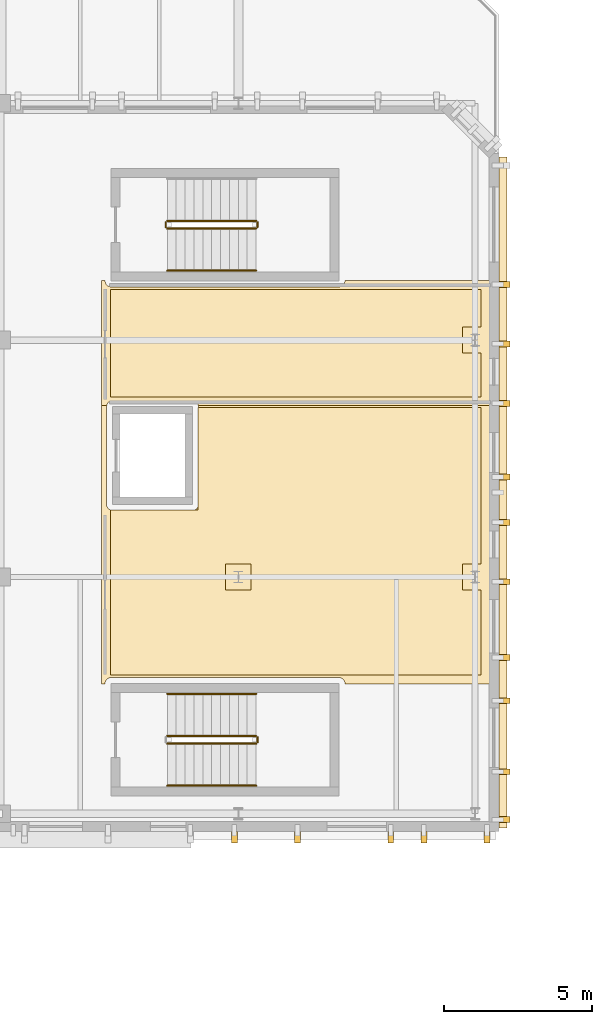
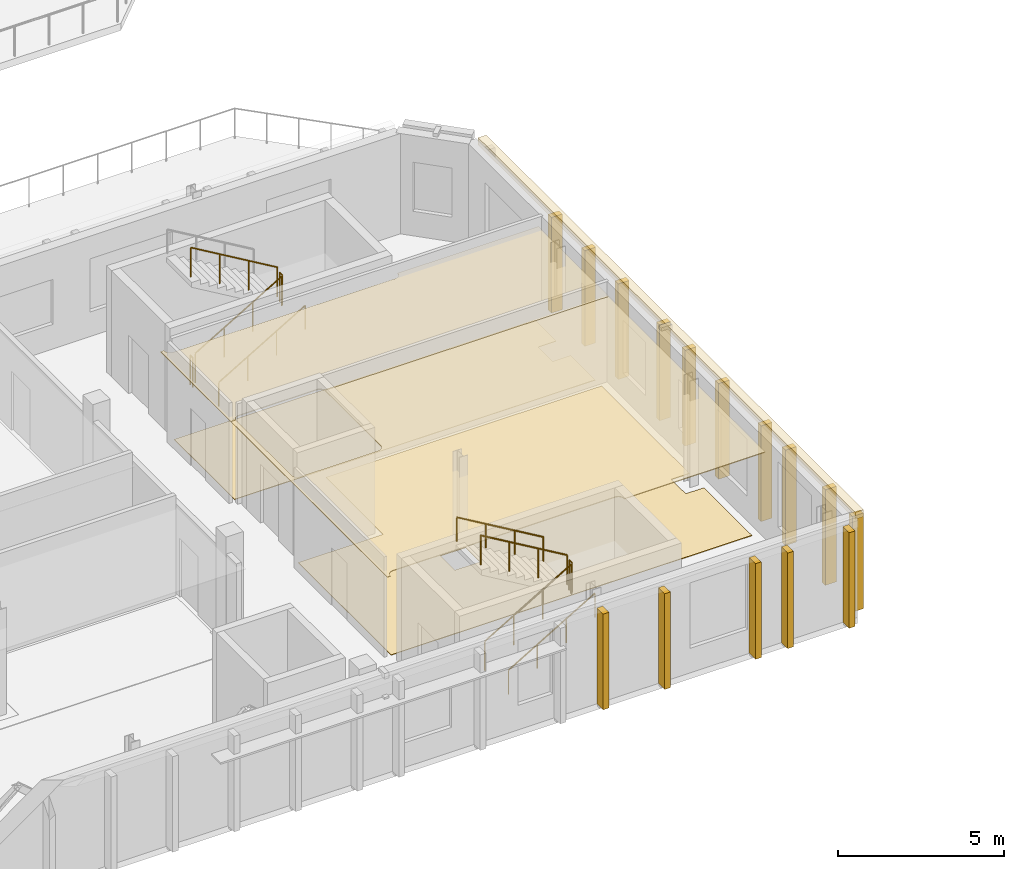
# One storey, part 36 of 43: 20 coverings, 10 railings.
"""IFC4 building model written with IfcOpenShell, lengths in metres."""

from ifc_helpers import new_model, si_unit, direction, frame, origin, origin_2d, place, context, subcontext, project, spatial, polyline, rectangle, circle, outline, extrude, material, layer, layer_set, type_object, element, save


model = new_model("IFC4")

# Units and contexts
model_context = context("Model", 3, precision=1e-05, world=origin(), true_north=direction((0.0, 1.0)))
body_context = subcontext(model_context, "Body", "Model", "MODEL_VIEW")
ifc_project = project(units=[si_unit("LENGTHUNIT", "METRE"), si_unit("AREAUNIT", "SQUARE_METRE"), si_unit("VOLUMEUNIT", "CUBIC_METRE"), si_unit("PLANEANGLEUNIT", "RADIAN"), si_unit("MASSUNIT", "GRAM", prefix="KILO")], contexts=[model_context])

# Site, building, storey
site_placement = place(None, origin())
site = spatial("IfcSite", under=ifc_project, at=site_placement, CompositionType="ELEMENT")
building_placement = place(site_placement, origin())
building = spatial("IfcBuilding", under=site, at=building_placement, Name="Cymarion Research Institute", CompositionType="ELEMENT")
storey_placement = place(building_placement, frame((0.0, 0.0, 22.800048828125)))
storey = spatial("IfcBuildingStorey", under=building, at=storey_placement, Name="L05", CompositionType="ELEMENT", Elevation=22.800048828125)

# Coverings
ifc_material_1 = material(Name="Micro-perforated mineral acoustic ceiling tile", Category="gypsum")
ifc_layer_1 = layer(ifc_material_1, 0.030029296875)
ifc_layer_set_1 = layer_set([ifc_layer_1], Name="Micro-perforated mineral acoustic ceiling tile")
covering_type_1 = type_object("IfcCoveringType", Name="ACOUSTIC MICRO-PERFORATED SUSPENDED CEILING CLG-01", PredefinedType="CEILING", material=ifc_layer_set_1)
covering_1_placement = place(storey_placement, frame((0.0, 0.0, 3.1298828125)))
element("IfcCovering", 1, at=covering_1_placement, inside=storey, type_object=covering_type_1, Name="L05 L05 Optics Researcher Write-Up & Simulation Office acoustic ceiling", PredefinedType="CEILING", context=body_context, shape_type="SweptSolid", body=[
    extrude(outline(polyline([(47.094970703125, 61.514892578125), (47.094970703125, 51.885009765625), (42.199951171875, 51.885009765625), (42.199951171875, 51.89990234375), (42.198974609375, 51.919677734375), (42.1962890625, 51.93896484375), (42.19140625, 51.9580078125), (42.184814453125, 51.9765625), (42.176513671875, 51.994384765625), (42.166259765625, 52.010986328125), (42.154541015625, 52.02685546875), (42.141357421875, 52.04150390625), (42.126953125, 52.0546875), (42.111083984375, 52.06640625), (42.09423828125, 52.076416015625), (42.076416015625, 52.084716796875), (42.05810546875, 52.09130859375), (42.0390625, 52.09619140625), (42.01953125, 52.09912109375), (42.0, 52.10009765625), (34.300048828125, 52.10009765625), (34.280517578125, 52.09912109375), (34.260986328125, 52.09619140625), (34.241943359375, 52.09130859375), (34.223388671875, 52.084716796875), (34.205810546875, 52.076416015625), (34.18896484375, 52.06640625), (34.173095703125, 52.0546875), (34.15869140625, 52.04150390625), (34.1455078125, 52.02685546875), (34.1337890625, 52.010986328125), (34.12353515625, 51.994384765625), (34.115234375, 51.9765625), (34.108642578125, 51.9580078125), (34.103759765625, 51.93896484375), (34.10107421875, 51.919677734375), (34.10009765625, 51.89990234375), (34.10009765625, 51.885009765625), (33.985107421875, 51.885009765625), (33.985107421875, 61.514892578125), (47.094970703125, 61.514892578125)]), holes=[polyline([(34.31103515625, 57.75390625), (34.330322265625, 57.7509765625), (34.35009765625, 57.75), (37.050048828125, 57.75), (37.069580078125, 57.7509765625), (37.089111328125, 57.75390625), (37.108154296875, 57.758544921875), (37.12646484375, 57.76513671875), (37.144287109375, 57.773681640625), (37.1611328125, 57.78369140625), (37.177001953125, 57.79541015625), (37.19140625, 57.80859375), (37.20458984375, 57.822998046875), (37.21630859375, 57.8388671875), (37.226318359375, 57.855712890625), (37.23486328125, 57.87353515625), (37.241455078125, 57.891845703125), (37.24609375, 57.910888671875), (37.2490234375, 57.930419921875), (37.25, 57.949951171875), (37.25, 61.25), (37.2490234375, 61.26953125), (37.24609375, 61.2890625), (37.241455078125, 61.30810546875), (37.23486328125, 61.326416015625), (37.226318359375, 61.34423828125), (37.21630859375, 61.361083984375), (37.20458984375, 61.376953125), (37.19140625, 61.391357421875), (37.177001953125, 61.404541015625), (37.1611328125, 61.416259765625), (37.144287109375, 61.426513671875), (37.12646484375, 61.434814453125), (37.108154296875, 61.44140625), (37.089111328125, 61.4462890625), (37.069580078125, 61.448974609375), (37.050048828125, 61.449951171875), (34.35009765625, 61.449951171875), (34.330322265625, 61.448974609375), (34.31103515625, 61.4462890625), (34.2919921875, 61.44140625), (34.2734375, 61.434814453125), (34.255615234375, 61.426513671875), (34.239013671875, 61.416259765625), (34.22314453125, 61.404541015625), (34.20849609375, 61.391357421875), (34.1953125, 61.376953125), (34.18359375, 61.361083984375), (34.173583984375, 61.34423828125), (34.165283203125, 61.326416015625), (34.15869140625, 61.30810546875), (34.15380859375, 61.2890625), (34.15087890625, 61.26953125), (34.14990234375, 61.25), (34.14990234375, 57.949951171875), (34.15087890625, 57.930419921875), (34.15380859375, 57.910888671875), (34.15869140625, 57.891845703125), (34.165283203125, 57.87353515625), (34.173583984375, 57.855712890625), (34.18359375, 57.8388671875), (34.1953125, 57.822998046875), (34.20849609375, 57.80859375), (34.22314453125, 57.79541015625), (34.239013671875, 57.78369140625), (34.255615234375, 57.773681640625), (34.2734375, 57.76513671875), (34.2919921875, 57.758544921875), (34.31103515625, 57.75390625)])]), origin(), (0.0, 0.0, 1.0), 0.030029296875),
])
covering_2_placement = place(storey_placement, frame((0.0, 0.0, 3.1298828125)))
element("IfcCovering", 2, at=covering_2_placement, inside=storey, type_object=covering_type_1, Name="L05 L05 Accessible WC and Upper V4 Staff Washrooms acoustic ceiling", PredefinedType="CEILING", context=body_context, shape_type="SweptSolid", body=[
    extrude(outline(polyline([(34.10009765625, 65.514892578125), (34.10009765625, 65.5), (34.10107421875, 65.48046875), (34.103759765625, 65.4609375), (34.108642578125, 65.44189453125), (34.115234375, 65.423583984375), (34.12353515625, 65.40576171875), (34.1337890625, 65.388916015625), (34.1455078125, 65.373046875), (34.15869140625, 65.358642578125), (34.173095703125, 65.345458984375), (34.18896484375, 65.333740234375), (34.205810546875, 65.323486328125), (34.223388671875, 65.315185546875), (34.241943359375, 65.30859375), (34.260986328125, 65.3037109375), (34.280517578125, 65.301025390625), (34.300048828125, 65.300048828125), (42.0, 65.300048828125), (42.01953125, 65.301025390625), (42.0390625, 65.3037109375), (42.05810546875, 65.30859375), (42.076416015625, 65.315185546875), (42.09423828125, 65.323486328125), (42.111083984375, 65.333740234375), (42.126953125, 65.345458984375), (42.141357421875, 65.358642578125), (42.154541015625, 65.373046875), (42.166259765625, 65.388916015625), (42.176513671875, 65.40576171875), (42.184814453125, 65.423583984375), (42.19140625, 65.44189453125), (42.1962890625, 65.4609375), (42.198974609375, 65.48046875), (42.199951171875, 65.5), (42.199951171875, 65.514892578125), (47.094970703125, 65.514892578125), (47.094970703125, 61.284912109375), (37.246826171875, 61.284912109375), (37.24609375, 61.2890625), (37.241455078125, 61.30810546875), (37.23486328125, 61.326416015625), (37.226318359375, 61.34423828125), (37.21630859375, 61.361083984375), (37.20458984375, 61.376953125), (37.19140625, 61.391357421875), (37.177001953125, 61.404541015625), (37.1611328125, 61.416259765625), (37.144287109375, 61.426513671875), (37.12646484375, 61.434814453125), (37.108154296875, 61.44140625), (37.089111328125, 61.4462890625), (37.069580078125, 61.448974609375), (37.050048828125, 61.449951171875), (34.35009765625, 61.449951171875), (34.330322265625, 61.448974609375), (34.31103515625, 61.4462890625), (34.2919921875, 61.44140625), (34.2734375, 61.434814453125), (34.255615234375, 61.426513671875), (34.239013671875, 61.416259765625), (34.22314453125, 61.404541015625), (34.20849609375, 61.391357421875), (34.1953125, 61.376953125), (34.18359375, 61.361083984375), (34.173583984375, 61.34423828125), (34.165283203125, 61.326416015625), (34.15869140625, 61.30810546875), (34.15380859375, 61.2890625), (34.1533203125, 61.284912109375), (33.985107421875, 61.284912109375), (33.985107421875, 65.514892578125), (34.10009765625, 65.514892578125)])), origin(), (0.0, 0.0, 1.0), 0.030029296875),
])

# Railings
ifc_material_2 = material(Name="Steel S355", Category="steel")
railing_type_1 = type_object("IfcRailingType", Name="PAINTED STEEL STAIR GUARDRAIL GR1 1100MM", PredefinedType="GUARDRAIL", material=ifc_material_2)
railing_1_placement = place(storey_placement, frame((36.199951171875, 49.8701171875, 0.17724609375)))
element("IfcRailing", 3, at=railing_1_placement, inside=storey, type_object=railing_type_1, Name="L05 ST7 stair guard 1", PredefinedType="GUARDRAIL", context=body_context, shape_type="SweptSolid", body=[
    extrude(circle(Radius=0.02392578125, at=origin_2d()), frame((0.0, 0.0, 1.076171875), z_axis=(0.86092931783, 0.0, 0.508724591208), x_axis=(0.0, 1.0, 0.0)), (0.0, 0.0, 1.0), 3.484619140625),
    extrude(circle(Radius=0.02099609375, at=origin_2d()), origin(), (0.0, 0.0, 1.0), 1.052001953125),
    extrude(circle(Radius=0.02099609375, at=origin_2d()), frame((1.0, 0.0, 0.5908203125)), (0.0, 0.0, 1.0), 1.052001953125),
    extrude(circle(Radius=0.02099609375, at=origin_2d()), frame((2.0, 0.0, 1.181884765625)), (0.0, 0.0, 1.0), 1.052001953125),
    extrude(circle(Radius=0.02099609375, at=origin_2d()), frame((3.0, 0.0, 1.772705078125)), (0.0, 0.0, 1.0), 1.052001953125),
])
railing_2_placement = place(storey_placement, frame((39.25, 49.919921875, 1.949951171875)))
element("IfcRailing", 4, at=railing_2_placement, inside=storey, type_object=railing_type_1, Name="L05 ST7 stair guard 2", PredefinedType="GUARDRAIL", context=body_context, shape_type="SweptSolid", body=[
    extrude(circle(Radius=0.02392578125, at=origin_2d()), frame((0.0, 0.0, 1.076171875), z_axis=(0.0, 1.0, 0.0), x_axis=(-1.0, 0.0, 0.0)), (0.0, 0.0, 1.0), 0.16015625),
    extrude(circle(Radius=0.02099609375, at=origin_2d()), origin(), (0.0, 0.0, 1.0), 1.052001953125),
    extrude(circle(Radius=0.02099609375, at=origin_2d()), frame((0.0, 0.16015625, 0.0)), (0.0, 0.0, 1.0), 1.052001953125),
])
railing_3_placement = place(storey_placement, frame((39.199951171875, 50.1298828125, 2.127197265625)))
element("IfcRailing", 5, at=railing_3_placement, inside=storey, type_object=railing_type_1, Name="L05 ST7 stair guard 3", PredefinedType="GUARDRAIL", context=body_context, shape_type="SweptSolid", body=[
    extrude(circle(Radius=0.02392578125, at=origin_2d()), frame((0.0, 0.0, 1.076171875), z_axis=(-0.86092931783, 0.0, 0.508724591208), x_axis=(0.0, -1.0, 0.0)), (0.0, 0.0, 1.0), 3.484619140625),
    extrude(circle(Radius=0.02099609375, at=origin_2d()), origin(), (0.0, 0.0, 1.0), 1.052001953125),
    extrude(circle(Radius=0.02099609375, at=origin_2d()), frame((-1.0, 0.0, 0.5908203125)), (0.0, 0.0, 1.0), 1.052001953125),
    extrude(circle(Radius=0.02099609375, at=origin_2d()), frame((-2.0, 0.0, 1.181884765625)), (0.0, 0.0, 1.0), 1.052001953125),
    extrude(circle(Radius=0.02099609375, at=origin_2d()), frame((-3.0, 0.0, 1.772705078125)), (0.0, 0.0, 1.0), 1.052001953125),
])
railing_4_placement = place(storey_placement, frame((36.199951171875, 67.27001953125, 0.17724609375)))
element("IfcRailing", 6, at=railing_4_placement, inside=storey, type_object=railing_type_1, Name="L05 ST8 stair guard 1", PredefinedType="GUARDRAIL", context=body_context, shape_type="SweptSolid", body=[
    extrude(circle(Radius=0.02392578125, at=origin_2d()), frame((0.0, 0.0, 1.076171875), z_axis=(0.86092931783, 0.0, 0.508724591208), x_axis=(0.0, 1.0, 0.0)), (0.0, 0.0, 1.0), 3.484619140625),
    extrude(circle(Radius=0.02099609375, at=origin_2d()), origin(), (0.0, 0.0, 1.0), 1.052001953125),
    extrude(circle(Radius=0.02099609375, at=origin_2d()), frame((1.0, 0.0, 0.5908203125)), (0.0, 0.0, 1.0), 1.052001953125),
    extrude(circle(Radius=0.02099609375, at=origin_2d()), frame((2.0, 0.0, 1.181884765625)), (0.0, 0.0, 1.0), 1.052001953125),
    extrude(circle(Radius=0.02099609375, at=origin_2d()), frame((3.0, 0.0, 1.772705078125)), (0.0, 0.0, 1.0), 1.052001953125),
])
railing_5_placement = place(storey_placement, frame((39.25, 67.320068359375, 1.949951171875)))
element("IfcRailing", 7, at=railing_5_placement, inside=storey, type_object=railing_type_1, Name="L05 ST8 stair guard 2", PredefinedType="GUARDRAIL", context=body_context, shape_type="SweptSolid", body=[
    extrude(circle(Radius=0.02392578125, at=origin_2d()), frame((0.0, 0.0, 1.076171875), z_axis=(0.0, 1.0, 0.0), x_axis=(-1.0, 0.0, 0.0)), (0.0, 0.0, 1.0), 0.159912109375),
    extrude(circle(Radius=0.02099609375, at=origin_2d()), origin(), (0.0, 0.0, 1.0), 1.052001953125),
    extrude(circle(Radius=0.02099609375, at=origin_2d()), frame((0.0, 0.159912109375, 0.0)), (0.0, 0.0, 1.0), 1.052001953125),
])
railing_6_placement = place(storey_placement, frame((39.199951171875, 67.530029296875, 2.127197265625)))
element("IfcRailing", 8, at=railing_6_placement, inside=storey, type_object=railing_type_1, Name="L05 ST8 stair guard 3", PredefinedType="GUARDRAIL", context=body_context, shape_type="SweptSolid", body=[
    extrude(circle(Radius=0.02392578125, at=origin_2d()), frame((0.0, 0.0, 1.076171875), z_axis=(-0.86092931783, 0.0, 0.508724591208), x_axis=(0.0, -1.0, 0.0)), (0.0, 0.0, 1.0), 3.484619140625),
    extrude(circle(Radius=0.02099609375, at=origin_2d()), origin(), (0.0, 0.0, 1.0), 1.052001953125),
    extrude(circle(Radius=0.02099609375, at=origin_2d()), frame((-1.0, 0.0, 0.5908203125)), (0.0, 0.0, 1.0), 1.052001953125),
    extrude(circle(Radius=0.02099609375, at=origin_2d()), frame((-2.0, 0.0, 1.181884765625)), (0.0, 0.0, 1.0), 1.052001953125),
    extrude(circle(Radius=0.02099609375, at=origin_2d()), frame((-3.0, 0.0, 1.772705078125)), (0.0, 0.0, 1.0), 1.052001953125),
])
railing_7_placement = place(storey_placement, frame((36.14990234375, 67.320068359375, 0.0)))
element("IfcRailing", 9, at=railing_7_placement, inside=storey, type_object=railing_type_1, Name="L05 ST8 stair guard 4", PredefinedType="GUARDRAIL", context=body_context, shape_type="SweptSolid", body=[
    extrude(circle(Radius=0.02392578125, at=origin_2d()), frame((0.0, 0.0, 1.076171875), z_axis=(0.0, 1.0, 0.0), x_axis=(-1.0, 0.0, 0.0)), (0.0, 0.0, 1.0), 0.159912109375),
    extrude(circle(Radius=0.02099609375, at=origin_2d()), origin(), (0.0, 0.0, 1.0), 1.052001953125),
    extrude(circle(Radius=0.02099609375, at=origin_2d()), frame((0.0, 0.159912109375, 0.0)), (0.0, 0.0, 1.0), 1.052001953125),
])

# Coverings
ifc_material_3 = material(Name="Precast concrete C45/55 architectural white", Category="concrete")
ifc_layer_2 = layer(ifc_material_3, 0.260009765625)
ifc_layer_set_2 = layer_set([ifc_layer_2], Name="Precast concrete C45/55 architectural white")
covering_type_2 = type_object("IfcCoveringType", Name="SCULPTURAL WHITE PRECAST CONCRETE SPANDREL BROW BAND RIB2 280MM", PredefinedType="CLADDING", material=ifc_layer_set_2)
covering_3_placement = place(storey_placement, frame((47.5419921875, 58.35009765625, 3.52001953125), z_axis=(0.0, 0.0, 1.0), x_axis=(1.0, 0.0, 0.0)))
element("IfcCovering", 10, at=covering_3_placement, inside=storey, type_object=covering_type_2, Name="L05 V4 precast spandrel brow band RIB2 #992", PredefinedType="CLADDING", context=body_context, shape_type="SweptSolid", body=[
    extrude(rectangle(XDim=0.280029296875, YDim=22.659912109375, at=origin_2d()), origin(), (0.0, 0.0, 1.0), 0.260009765625),
])
ifc_layer_3 = layer(ifc_material_3, 0.199951171875)
ifc_layer_set_3 = layer_set([ifc_layer_3], Name="Precast concrete C45/55 architectural white")
covering_type_3 = type_object("IfcCoveringType", Name="SCULPTURAL WHITE PRECAST CONCRETE VERTICAL RIB RIB1 380X200", PredefinedType="CLADDING", material=ifc_layer_set_3)
for number, where, z_axis, x_axis, name in (
    (11, (38.466796875, 46.7080078125, 0.010009765625), (0.0, 0.0, 1.0), (0.0, -1.0, 0.0), "L05 V4 sculptural precast vertical rib RIB1 #987"),
    (12, (40.60009765625, 46.7080078125, 0.010009765625), (0.0, 0.0, 1.0), (0.0, -1.0, 0.0), "L05 V4 sculptural precast vertical rib RIB1 #988"),
    (13, (43.75, 46.7080078125, 0.010009765625), (0.0, 0.0, 1.0), (0.0, -1.0, 0.0), "L05 V4 sculptural precast vertical rib RIB1 #989"),
    (14, (44.86669921875, 46.7080078125, 0.010009765625), (0.0, 0.0, 1.0), (0.0, -1.0, 0.0), "L05 V4 sculptural precast vertical rib RIB1 #990"),
    (15, (47.0, 46.7080078125, 0.010009765625), (0.0, 0.0, 1.0), (0.0, -1.0, 0.0), "L05 V4 sculptural precast vertical rib RIB1 #991"),
    (16, (47.592041015625, 47.300048828125, 0.010009765625), (0.0, 0.0, 1.0), (1.0, 0.0, 0.0), "L05 V4 sculptural precast vertical rib RIB1 #993"),
    (17, (47.592041015625, 48.919921875, 0.010009765625), (0.0, 0.0, 1.0), (1.0, 0.0, 0.0), "L05 V4 sculptural precast vertical rib RIB1 #994"),
    (18, (47.592041015625, 51.318115234375, 0.010009765625), (0.0, 0.0, 1.0), (1.0, 0.0, 0.0), "L05 V4 sculptural precast vertical rib RIB1 #995"),
    (19, (47.592041015625, 52.780029296875, 0.010009765625), (0.0, 0.0, 1.0), (1.0, 0.0, 0.0), "L05 V4 sculptural precast vertical rib RIB1 #996"),
    (20, (47.592041015625, 55.33642578125, 0.010009765625), (0.0, 0.0, 1.0), (1.0, 0.0, 0.0), "L05 V4 sculptural precast vertical rib RIB1 #997"),
    (21, (47.592041015625, 57.345458984375, 0.010009765625), (0.0, 0.0, 1.0), (1.0, 0.0, 0.0), "L05 V4 sculptural precast vertical rib RIB1 #998"),
    (22, (47.592041015625, 58.875, 0.010009765625), (0.0, 0.0, 1.0), (1.0, 0.0, 0.0), "L05 V4 sculptural precast vertical rib RIB1 #999"),
    (23, (47.592041015625, 61.363525390625, 0.010009765625), (0.0, 0.0, 1.0), (1.0, 0.0, 0.0), "L05 V4 sculptural precast vertical rib RIB1 #1000"),
    (24, (47.592041015625, 63.372802734375, 0.010009765625), (0.0, 0.0, 1.0), (1.0, 0.0, 0.0), "L05 V4 sculptural precast vertical rib RIB1 #1001"),
    (25, (47.592041015625, 65.3818359375, 0.010009765625), (0.0, 0.0, 1.0), (1.0, 0.0, 0.0), "L05 V4 sculptural precast vertical rib RIB1 #1002"),
):
    element("IfcCovering", number, at=place(storey_placement, frame(where, z_axis=z_axis, x_axis=x_axis)), inside=storey, type_object=covering_type_3, Name=name, PredefinedType="CLADDING", context=body_context, shape_type="SweptSolid", body=[
        extrude(rectangle(XDim=0.3798828125, YDim=0.199951171875, at=origin_2d()), origin(), (0.0, 0.0, 1.0), 3.5048828125),
    ])
ifc_material_4 = material(Name="Seamless dissipative epoxy resin flooring", Category="resin")
ifc_layer_4 = layer(ifc_material_4, 0.02001953125)
ifc_layer_set_4 = layer_set([ifc_layer_4], Name="Seamless dissipative epoxy resin flooring")
covering_type_4 = type_object("IfcCoveringType", Name="SEAMLESS ESD EPOXY LABORATORY FLOORING FLR-01", PredefinedType="FLOORING", material=ifc_layer_set_4)
covering_4_placement = place(storey_placement, origin())
element("IfcCovering", 26, at=covering_4_placement, inside=storey, type_object=covering_type_4, Name="L05 L05 Optics Researcher Write-Up & Simulation Office ESD epoxy flooring", PredefinedType="FLOORING", context=body_context, shape_type="SweptSolid", body=[
    extrude(outline(polyline([(34.284912109375, 57.764892578125), (37.235107421875, 57.764892578125), (37.235107421875, 61.215087890625), (46.794921875, 61.215087890625), (46.794921875, 55.93505859375), (46.1650390625, 55.93505859375), (46.1650390625, 55.06494140625), (46.794921875, 55.06494140625), (46.794921875, 52.18505859375), (34.284912109375, 52.18505859375), (34.284912109375, 57.764892578125)]), holes=[polyline([(38.1650390625, 55.93505859375), (38.1650390625, 55.06494140625), (39.034912109375, 55.06494140625), (39.034912109375, 55.93505859375), (38.1650390625, 55.93505859375)])]), origin(), (0.0, 0.0, 1.0), 0.02001953125),
])
covering_5_placement = place(storey_placement, origin())
element("IfcCovering", 27, at=covering_5_placement, inside=storey, type_object=covering_type_4, Name="L05 L05 Accessible WC and Upper V4 Staff Washrooms ESD epoxy flooring", PredefinedType="FLOORING", context=body_context, shape_type="SweptSolid", body=[
    extrude(outline(polyline([(34.284912109375, 65.215087890625), (46.794921875, 65.215087890625), (46.794921875, 63.93505859375), (46.1650390625, 63.93505859375), (46.1650390625, 63.06494140625), (46.794921875, 63.06494140625), (46.794921875, 61.5849609375), (34.284912109375, 61.5849609375), (34.284912109375, 65.215087890625)])), origin(), (0.0, 0.0, 1.0), 0.02001953125),
])

# Railings
railing_type_2 = type_object("IfcRailingType", Name="STAINLESS STEEL STAIR HANDRAIL HR1 900MM", PredefinedType="HANDRAIL", material=ifc_material_2)
railing_8_placement = place(storey_placement, frame((36.199951171875, 48.449951171875, 0.17724609375)))
element("IfcRailing", 28, at=railing_8_placement, inside=storey, type_object=railing_type_2, Name="L05 ST7 stair handrail 1", PredefinedType="HANDRAIL", context=body_context, shape_type="SweptSolid", body=[
    extrude(circle(Radius=0.02392578125, at=origin_2d()), frame((0.0, 0.0, 0.8759765625), z_axis=(0.86092931783, 0.0, 0.508724591208), x_axis=(0.0, 1.0, 0.0)), (0.0, 0.0, 1.0), 3.484619140625),
    extrude(circle(Radius=0.02099609375, at=origin_2d()), origin(), (0.0, 0.0, 1.0), 0.851806640625),
    extrude(circle(Radius=0.02099609375, at=origin_2d()), frame((1.0, 0.0, 0.5908203125)), (0.0, 0.0, 1.0), 0.851806640625),
    extrude(circle(Radius=0.02099609375, at=origin_2d()), frame((2.0, 0.0, 1.181884765625)), (0.0, 0.0, 1.0), 0.851806640625),
    extrude(circle(Radius=0.02099609375, at=origin_2d()), frame((3.0, 0.0, 1.772705078125)), (0.0, 0.0, 1.0), 0.851806640625),
])
railing_9_placement = place(storey_placement, frame((39.199951171875, 51.550048828125, 2.127197265625)))
element("IfcRailing", 29, at=railing_9_placement, inside=storey, type_object=railing_type_2, Name="L05 ST7 stair handrail 2", PredefinedType="HANDRAIL", context=body_context, shape_type="SweptSolid", body=[
    extrude(circle(Radius=0.02392578125, at=origin_2d()), frame((0.0, 0.0, 0.8759765625), z_axis=(-0.86092931783, 0.0, 0.508724591208), x_axis=(0.0, -1.0, 0.0)), (0.0, 0.0, 1.0), 3.484619140625),
    extrude(circle(Radius=0.02099609375, at=origin_2d()), origin(), (0.0, 0.0, 1.0), 0.851806640625),
    extrude(circle(Radius=0.02099609375, at=origin_2d()), frame((-1.0, 0.0, 0.5908203125)), (0.0, 0.0, 1.0), 0.851806640625),
    extrude(circle(Radius=0.02099609375, at=origin_2d()), frame((-2.0, 0.0, 1.181884765625)), (0.0, 0.0, 1.0), 0.851806640625),
    extrude(circle(Radius=0.02099609375, at=origin_2d()), frame((-3.0, 0.0, 1.772705078125)), (0.0, 0.0, 1.0), 0.851806640625),
])
railing_10_placement = place(storey_placement, frame((36.199951171875, 65.85009765625, 0.17724609375)))
element("IfcRailing", 30, at=railing_10_placement, inside=storey, type_object=railing_type_2, Name="L05 ST8 stair handrail 1", PredefinedType="HANDRAIL", context=body_context, shape_type="SweptSolid", body=[
    extrude(circle(Radius=0.02392578125, at=origin_2d()), frame((0.0, 0.0, 0.8759765625), z_axis=(0.86092931783, 0.0, 0.508724591208), x_axis=(0.0, 1.0, 0.0)), (0.0, 0.0, 1.0), 3.484619140625),
    extrude(circle(Radius=0.02099609375, at=origin_2d()), origin(), (0.0, 0.0, 1.0), 0.851806640625),
    extrude(circle(Radius=0.02099609375, at=origin_2d()), frame((1.0, 0.0, 0.5908203125)), (0.0, 0.0, 1.0), 0.851806640625),
    extrude(circle(Radius=0.02099609375, at=origin_2d()), frame((2.0, 0.0, 1.181884765625)), (0.0, 0.0, 1.0), 0.851806640625),
    extrude(circle(Radius=0.02099609375, at=origin_2d()), frame((3.0, 0.0, 1.772705078125)), (0.0, 0.0, 1.0), 0.851806640625),
])

save(model, "model.ifc")
